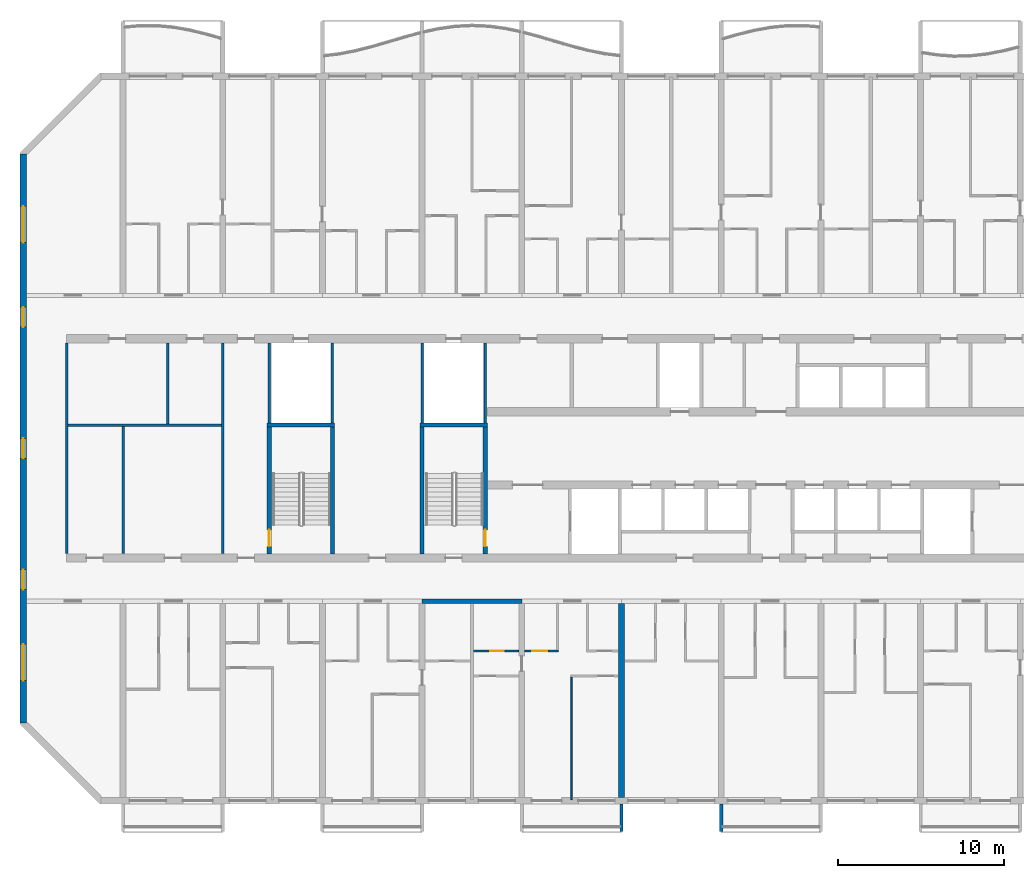
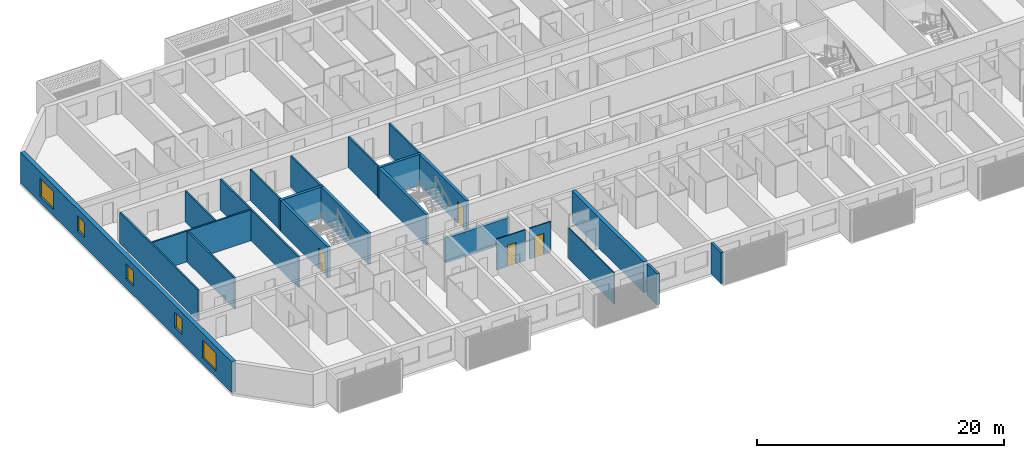
# One storey, part 3 of 29: 23 walls, 5 windows, 4 doors, 9 openings.
"""IFC4 building model written with IfcOpenShell, lengths in metres."""

from ifc_helpers import new_model, si_unit, direction, frame, frame_2d, origin, place, context, subcontext, project, spatial, polyline, rectangle, outline, extrude, source, transform, mapped, material, layer, layer_set, type_object, element, fill, save


model = new_model("IFC4")

# Units and contexts
model_context = context("Model", 3, precision=1e-05, world=origin(), true_north=direction((0.0, 1.0)))
body_context = subcontext(model_context, "Body", "Model", "MODEL_VIEW")
ifc_project = project(units=[si_unit("LENGTHUNIT", "METRE"), si_unit("AREAUNIT", "SQUARE_METRE"), si_unit("VOLUMEUNIT", "CUBIC_METRE"), si_unit("PLANEANGLEUNIT", "RADIAN"), si_unit("MASSUNIT", "GRAM", prefix="KILO")], contexts=[model_context])

# Site, building, storey
site_placement = place(None, origin())
site = spatial("IfcSite", under=ifc_project, at=site_placement, CompositionType="ELEMENT")
building_placement = place(site_placement, origin())
building = spatial("IfcBuilding", under=site, at=building_placement, Name="Poui Terraces", CompositionType="ELEMENT")
storey_placement = place(building_placement, frame((0.0, 0.0, 86.10009765625)))
storey = spatial("IfcBuildingStorey", under=building, at=storey_placement, Name="L23", CompositionType="ELEMENT", Elevation=86.10009765625)

# Walls
ifc_material_1 = material(Name="Fire-rated plasterboard wall")
ifc_layer_1 = layer(ifc_material_1, 0.14990234375)
ifc_layer_set_1 = layer_set([ifc_layer_1], Name="Fire-rated plasterboard wall")
wall_type_1 = type_object("IfcWallType", Name="CORRIDOR WALL 150", PredefinedType="PARTITIONING", material=ifc_layer_set_1)
for number, where, z_axis, x_axis, name in (
    (1, (8.60009765625, 14.860107421875, 0.0), (0.0, 0.0, 1.0), (0.0, 1.0, 0.0), "CORRIDOR WALL 150"),
    (2, (18.0, 14.860107421875, 0.0), (0.0, 0.0, 1.0), (0.0, 1.0, 0.0), "CORRIDOR WALL 150"),
):
    element("IfcWall", number, at=place(storey_placement, frame(where, z_axis=z_axis, x_axis=x_axis)), inside=storey, type_object=wall_type_1, Name=name, PredefinedType="PARTITIONING", context=body_context, shape_type="SweptSolid", body=[
        extrude(rectangle(XDim=12.679931640625, YDim=0.14990234375, at=frame_2d((6.33984375, 0.0))), origin(), (0.0, 0.0, 1.0), 3.059814453125),
    ])
ifc_material_2 = material(Name="Concrete 65 MPa", Category="concrete")
ifc_layer_2 = layer(ifc_material_2, 0.25)
ifc_layer_set_2 = layer_set([ifc_layer_2], Name="Concrete 65 MPa")
wall_type_2 = type_object("IfcWallType", Name="CORRIDOR WALL 250 65MPa", PredefinedType="SHEAR", material=ifc_layer_set_2)
wall_1_placement = place(storey_placement, frame((30.0, 12.0, 0.0), z_axis=(0.0, 0.0, 1.0), x_axis=(1.0, 0.0, 0.0)))
element("IfcWall", 3, at=wall_1_placement, inside=storey, type_object=wall_type_2, Name="CORRIDOR WALL LINE B BAY 5", PredefinedType="SHEAR", context=body_context, shape_type="SweptSolid", body=[
    extrude(rectangle(XDim=6.0, YDim=0.25, at=frame_2d((3.0, 0.0))), origin(), (0.0, 0.0, 1.0), 2.4599609375),
])
ifc_layer_3 = layer(ifc_material_2, 0.35009765625)
ifc_layer_set_3 = layer_set([ifc_layer_3], Name="Concrete 65 MPa")
wall_type_3 = type_object("IfcWallType", Name="CROSS WALL 350 65MPa", PredefinedType="SHEAR", material=ifc_layer_set_3)
wall_2_placement = place(storey_placement, frame((42.0, 0.199951171875, 0.0), z_axis=(0.0, 0.0, 1.0), x_axis=(0.0, 1.0, 0.0)))
element("IfcWall", 4, at=wall_2_placement, inside=storey, type_object=wall_type_3, Name="CROSS WALL LINE 8 SOUTH", PredefinedType="SHEAR", context=body_context, shape_type="SweptSolid", body=[
    extrude(rectangle(XDim=11.675048828125, YDim=0.35009765625, at=frame_2d((5.83740234375, 0.0))), origin(), (0.0, 0.0, 1.0), 3.059814453125),
])

# Wall, openings, windows
ifc_layer_4 = layer(ifc_material_2, 0.39990234375)
ifc_layer_set_4 = layer_set([ifc_layer_4], Name="Concrete 65 MPa")
wall_type_4 = type_object("IfcWallType", Name="END WALL 400 65MPa", PredefinedType="SHEAR", material=ifc_layer_set_4)
wall_3_placement = place(storey_placement, frame((6.0, 4.682861328125, 0.0), z_axis=(0.0, 0.0, 1.0), x_axis=(0.0, 1.0, 0.0)))
wall_3 = element("IfcWall", 5, at=wall_3_placement, inside=storey, type_object=wall_type_4, Name="END WALL WEST", PredefinedType="SHEAR", context=body_context, shape_type="SweptSolid", body=[
    extrude(rectangle(XDim=34.234375, YDim=0.39990234375, at=frame_2d((17.1171875, 0.0))), origin(), (0.0, 0.0, 1.0), 3.059814453125),
])
opening_1_placement = place(wall_3_placement, frame((23.817138671875, 0.0, 0.89990234375)))
opening_1 = element("IfcOpeningElement", 6, at=opening_1_placement, cuts=wall_3, Name="Opening W2", PredefinedType="OPENING", context=body_context, shape_type="SweptSolid", body=[
    extrude(rectangle(XDim=1.199951171875, YDim=1.5, at=frame_2d((0.60009765625, 0.75))), frame((0.0, 0.2099609375, 0.0), z_axis=(0.0, -1.0, 0.0), x_axis=(1.0, 0.0, 0.0)), (0.0, 0.0, 1.0), 0.419921875),
])
opening_2_placement = place(wall_3_placement, frame((8.01708984375, 0.0, 0.89990234375)))
opening_2 = element("IfcOpeningElement", 7, at=opening_2_placement, cuts=wall_3, Name="Opening W2", PredefinedType="OPENING", context=body_context, shape_type="SweptSolid", body=[
    extrude(rectangle(XDim=1.199951171875, YDim=1.5, at=frame_2d((0.60009765625, 0.75))), frame((0.0, 0.2099609375, 0.0), z_axis=(0.0, -1.0, 0.0), x_axis=(1.0, 0.0, 0.0)), (0.0, 0.0, 1.0), 0.419921875),
])
opening_3_placement = place(wall_3_placement, frame((15.917236328125, 0.0, 0.89990234375)))
opening_3 = element("IfcOpeningElement", 8, at=opening_3_placement, cuts=wall_3, Name="Opening W2", PredefinedType="OPENING", context=body_context, shape_type="SweptSolid", body=[
    extrude(rectangle(XDim=1.199951171875, YDim=1.5, at=frame_2d((0.60009765625, 0.75))), frame((0.0, 0.2099609375, 0.0), z_axis=(0.0, -1.0, 0.0), x_axis=(1.0, 0.0, 0.0)), (0.0, 0.0, 1.0), 0.419921875),
])
opening_4_placement = place(wall_3_placement, frame((28.8935546875, 0.0, 0.60009765625)))
opening_4 = element("IfcOpeningElement", 9, at=opening_4_placement, cuts=wall_3, Name="Opening W3", PredefinedType="OPENING", context=body_context, shape_type="SweptSolid", body=[
    extrude(rectangle(XDim=2.199951171875, YDim=1.800048828125, at=frame_2d((1.10009765625, 0.89990234375))), frame((0.0, 0.2099609375, 0.0), z_axis=(0.0, -1.0, 0.0), x_axis=(1.0, 0.0, 0.0)), (0.0, 0.0, 1.0), 0.419921875),
])
opening_5_placement = place(wall_3_placement, frame((2.541015625, 0.0, 0.60009765625)))
opening_5 = element("IfcOpeningElement", 10, at=opening_5_placement, cuts=wall_3, Name="Opening W3", PredefinedType="OPENING", context=body_context, shape_type="SweptSolid", body=[
    extrude(rectangle(XDim=2.199951171875, YDim=1.800048828125, at=frame_2d((1.10009765625, 0.89990234375))), frame((0.0, 0.2099609375, 0.0), z_axis=(0.0, -1.0, 0.0), x_axis=(1.0, 0.0, 0.0)), (0.0, 0.0, 1.0), 0.419921875),
])
ifc_material_3 = material(Name="Clear glass in aluminium frame", Category="aluminium")
window_type_1 = type_object("IfcWindowType", Name="WINDOW 1200X1500", PartitioningType="SINGLE_PANEL", PredefinedType="WINDOW", material=ifc_material_3)
window_1_placement = place(opening_1_placement, origin())
window_1 = element("IfcWindow", 11, at=window_1_placement, inside=storey, type_object=window_type_1, Name="W2 WINDOW", OverallHeight=1.5, OverallWidth=1.199951171875, PartitioningType="SINGLE_PANEL", PredefinedType="WINDOW", context=body_context, shape_type="SweptSolid", body=[
    extrude(rectangle(XDim=1.199951171875, YDim=1.5, at=frame_2d((0.60009765625, 0.75))), frame((0.0, 0.030029296875, 0.0), z_axis=(0.0, -1.0, 0.0), x_axis=(1.0, 0.0, 0.0)), (0.0, 0.0, 1.0), 0.06005859375),
])
fill(opening_1, window_1)
window_2_placement = place(opening_2_placement, origin())
window_2 = element("IfcWindow", 12, at=window_2_placement, inside=storey, type_object=window_type_1, Name="W2 WINDOW", OverallHeight=1.5, OverallWidth=1.199951171875, PartitioningType="SINGLE_PANEL", PredefinedType="WINDOW", context=body_context, shape_type="SweptSolid", body=[
    extrude(rectangle(XDim=1.199951171875, YDim=1.5, at=frame_2d((0.60009765625, 0.75))), frame((0.0, 0.030029296875, 0.0), z_axis=(0.0, -1.0, 0.0), x_axis=(1.0, 0.0, 0.0)), (0.0, 0.0, 1.0), 0.06005859375),
])
fill(opening_2, window_2)
window_3_placement = place(opening_3_placement, origin())
window_3 = element("IfcWindow", 13, at=window_3_placement, inside=storey, type_object=window_type_1, Name="W2 WINDOW", OverallHeight=1.5, OverallWidth=1.199951171875, PartitioningType="SINGLE_PANEL", PredefinedType="WINDOW", context=body_context, shape_type="SweptSolid", body=[
    extrude(rectangle(XDim=1.199951171875, YDim=1.5, at=frame_2d((0.60009765625, 0.75))), frame((0.0, 0.030029296875, 0.0), z_axis=(0.0, -1.0, 0.0), x_axis=(1.0, 0.0, 0.0)), (0.0, 0.0, 1.0), 0.06005859375),
])
fill(opening_3, window_3)
window_type_2 = type_object("IfcWindowType", Name="WINDOW 2200X1800", PartitioningType="DOUBLE_PANEL_HORIZONTAL", PredefinedType="WINDOW", material=ifc_material_3)
window_4_placement = place(opening_4_placement, origin())
window_4 = element("IfcWindow", 14, at=window_4_placement, inside=storey, type_object=window_type_2, Name="W3 WINDOW", OverallHeight=1.800048828125, OverallWidth=2.199951171875, PartitioningType="DOUBLE_PANEL_HORIZONTAL", PredefinedType="WINDOW", context=body_context, shape_type="SweptSolid", body=[
    extrude(rectangle(XDim=2.199951171875, YDim=1.800048828125, at=frame_2d((1.10009765625, 0.89990234375))), frame((0.0, 0.030029296875, 0.0), z_axis=(0.0, -1.0, 0.0), x_axis=(1.0, 0.0, 0.0)), (0.0, 0.0, 1.0), 0.06005859375),
])
fill(opening_4, window_4)
window_5_placement = place(opening_5_placement, origin())
window_5 = element("IfcWindow", 15, at=window_5_placement, inside=storey, type_object=window_type_2, Name="W3 WINDOW", OverallHeight=1.800048828125, OverallWidth=2.199951171875, PartitioningType="DOUBLE_PANEL_HORIZONTAL", PredefinedType="WINDOW", context=body_context, shape_type="SweptSolid", body=[
    extrude(rectangle(XDim=2.199951171875, YDim=1.800048828125, at=frame_2d((1.10009765625, 0.89990234375))), frame((0.0, 0.030029296875, 0.0), z_axis=(0.0, -1.0, 0.0), x_axis=(1.0, 0.0, 0.0)), (0.0, 0.0, 1.0), 0.06005859375),
])
fill(opening_5, window_5)

# Wall, opening, door
ifc_material_4 = material(Name="Plasterboard partition")
ifc_layer_5 = layer(ifc_material_4, 0.10009765625)
ifc_layer_set_5 = layer_set([ifc_layer_5], Name="Plasterboard partition")
wall_type_5 = type_object("IfcWallType", Name="FLAT PARTITION 100", PredefinedType="PARTITIONING", material=ifc_layer_set_5)
wall_4_placement = place(storey_placement, frame((33.10009765625, 9.0, 0.0), z_axis=(0.0, 0.0, 1.0), x_axis=(1.0, 0.0, 0.0)))
wall_4 = element("IfcWall", 16, at=wall_4_placement, inside=storey, type_object=wall_type_5, Name="FLAT PARTITION 100", PredefinedType="PARTITIONING", context=body_context, shape_type="SweptSolid", body=[
    extrude(rectangle(XDim=2.71484375, YDim=0.10009765625, at=frame_2d((1.357421875, 0.0))), origin(), (0.0, 0.0, 1.0), 3.059814453125),
])
opening_6_placement = place(wall_4_placement, frame((1.0, 0.0, 0.0)))
opening_6 = element("IfcOpeningElement", 17, at=opening_6_placement, cuts=wall_4, Name="Opening D80", PredefinedType="OPENING", context=body_context, shape_type="SweptSolid", body=[
    extrude(rectangle(XDim=0.800048828125, YDim=2.10009765625, at=frame_2d((0.39990234375, 1.050048828125))), frame((0.0, 0.06005859375, 0.0), z_axis=(0.0, -1.0, 0.0), x_axis=(1.0, 0.0, 0.0)), (0.0, 0.0, 1.0), 0.1201171875),
])
ifc_material_5 = material(Name="Solid core timber door", Category="wood")
door_type_1 = type_object("IfcDoorType", Name="BATHROOM, LAUNDRY AND STORE DOOR 800 X 2100", OperationType="NOTDEFINED", PredefinedType="DOOR", material=ifc_material_5)
door_1_placement = place(opening_6_placement, origin())
door_1 = element("IfcDoor", 18, at=door_1_placement, inside=storey, type_object=door_type_1, Name="BATHROOM, LAUNDRY AND STORE DOOR 100", OperationType="SINGLE_SWING_RIGHT", OverallHeight=2.10009765625, OverallWidth=0.800048828125, PredefinedType="DOOR", context=body_context, shape_type="SweptSolid", body=[
    extrude(rectangle(XDim=0.800048828125, YDim=2.10009765625, at=frame_2d((0.39990234375, 1.050048828125))), frame((0.0, 0.02490234375, 0.0), z_axis=(0.0, -1.0, 0.0), x_axis=(1.0, 0.0, 0.0)), (0.0, 0.0, 1.0), 0.050048828125),
])
fill(opening_6, door_1)

wall_5_placement = place(storey_placement, frame((36.18505859375, 9.0, 0.0), z_axis=(0.0, 0.0, 1.0), x_axis=(1.0, 0.0, 0.0)))
wall_5 = element("IfcWall", 19, at=wall_5_placement, inside=storey, type_object=wall_type_5, Name="FLAT PARTITION 100", PredefinedType="PARTITIONING", context=body_context, shape_type="SweptSolid", body=[
    extrude(rectangle(XDim=2.014892578125, YDim=0.10009765625, at=frame_2d((1.00732421875, 0.0))), origin(), (0.0, 0.0, 1.0), 3.059814453125),
])
opening_7_placement = place(wall_5_placement, frame((0.43994140625, 0.0, 0.0)))
opening_7 = element("IfcOpeningElement", 20, at=opening_7_placement, cuts=wall_5, Name="Opening D90", PredefinedType="OPENING", context=body_context, shape_type="SweptSolid", body=[
    extrude(rectangle(XDim=0.89990234375, YDim=2.10009765625, at=frame_2d((0.449951171875, 1.050048828125))), frame((0.0, 0.06005859375, 0.0), z_axis=(0.0, -1.0, 0.0), x_axis=(1.0, 0.0, 0.0)), (0.0, 0.0, 1.0), 0.1201171875),
])
door_type_2 = type_object("IfcDoorType", Name="INTERNAL DOOR 900 X 2100", OperationType="NOTDEFINED", PredefinedType="DOOR", material=ifc_material_5)
door_2_placement = place(opening_7_placement, origin())
door_2 = element("IfcDoor", 21, at=door_2_placement, inside=storey, type_object=door_type_2, Name="INTERNAL DOOR 102", OperationType="SINGLE_SWING_LEFT", OverallHeight=2.10009765625, OverallWidth=0.89990234375, PredefinedType="DOOR", context=body_context, shape_type="SweptSolid", body=[
    extrude(rectangle(XDim=0.89990234375, YDim=2.10009765625, at=frame_2d((0.449951171875, 1.050048828125))), frame((0.0, 0.02490234375, 0.0), z_axis=(0.0, -1.0, 0.0), x_axis=(1.0, 0.0, 0.0)), (0.0, 0.0, 1.0), 0.050048828125),
])
fill(opening_7, door_2)

# Walls
wall_6_placement = place(storey_placement, frame((39.0, 0.06005859375, 0.0), z_axis=(0.0, 0.0, 1.0), x_axis=(0.0, 1.0, 0.0)))
element("IfcWall", 22, at=wall_6_placement, inside=storey, type_object=wall_type_5, Name="FLAT PARTITION 100", PredefinedType="PARTITIONING", context=body_context, shape_type="SweptSolid", body=[
    extrude(rectangle(XDim=7.389892578125, YDim=0.10009765625, at=frame_2d((3.69482421875, 0.0))), origin(), (0.0, 0.0, 1.0), 3.059814453125),
])
ifc_layer_6 = layer(ifc_material_4, 0.14990234375)
ifc_layer_set_6 = layer_set([ifc_layer_6], Name="Plasterboard partition")
wall_type_6 = type_object("IfcWallType", Name="PARTITION WALL 150", PredefinedType="PARTITIONING", material=ifc_layer_set_6)
wall_7_placement = place(storey_placement, frame((8.675048828125, 22.60009765625, 0.0), z_axis=(0.0, 0.0, 1.0), x_axis=(1.0, 0.0, 0.0)))
element("IfcWall", 23, at=wall_7_placement, inside=storey, type_object=wall_type_6, Name="PARTITION WALL 150", PredefinedType="PARTITIONING", context=body_context, shape_type="SweptSolid", body=[
    extrude(rectangle(XDim=9.25, YDim=0.14990234375, at=frame_2d((4.625, 0.0))), origin(), (0.0, 0.0, 1.0), 3.059814453125),
])
wall_8_placement = place(storey_placement, frame((12.0, 14.860107421875, 0.0), z_axis=(0.0, 0.0, 1.0), x_axis=(0.0, 1.0, 0.0)))
element("IfcWall", 24, at=wall_8_placement, inside=storey, type_object=wall_type_6, Name="PARTITION WALL 150", PredefinedType="PARTITIONING", context=body_context, shape_type="SweptSolid", body=[
    extrude(rectangle(XDim=7.664794921875, YDim=0.14990234375, at=frame_2d((3.83251953125, 0.0))), origin(), (0.0, 0.0, 1.0), 3.059814453125),
])
wall_9_placement = place(storey_placement, frame((14.699951171875, 22.675048828125, 0.0), z_axis=(0.0, 0.0, 1.0), x_axis=(0.0, 1.0, 0.0)))
element("IfcWall", 25, at=wall_9_placement, inside=storey, type_object=wall_type_6, Name="PARTITION WALL 150", PredefinedType="PARTITIONING", context=body_context, shape_type="SweptSolid", body=[
    extrude(rectangle(XDim=4.864990234375, YDim=0.14990234375, at=frame_2d((2.4326171875, 0.0))), origin(), (0.0, 0.0, 1.0), 3.059814453125),
])
ifc_material_6 = material(Name="Fire-rated plasterboard riser wall")
ifc_layer_7 = layer(ifc_material_6, 0.14990234375)
ifc_layer_set_7 = layer_set([ifc_layer_7], Name="Fire-rated plasterboard riser wall")
wall_type_7 = type_object("IfcWallType", Name="RISER WALL 150", PredefinedType="PARTITIONING", material=ifc_layer_set_7)
for number, where, z_axis, x_axis, name in (
    (26, (20.800048828125, 22.735107421875, 0.0), (0.0, 0.0, 1.0), (0.0, 1.0, 0.0), "RISER WALL 150"),
    (27, (24.60009765625, 22.735107421875, 0.0), (0.0, 0.0, 1.0), (0.0, 1.0, 0.0), "RISER WALL 150"),
    (28, (30.0, 22.735107421875, 0.0), (0.0, 0.0, 1.0), (0.0, 1.0, 0.0), "RISER WALL 150"),
    (29, (33.800048828125, 22.735107421875, 0.0), (0.0, 0.0, 1.0), (0.0, 1.0, 0.0), "RISER WALL 150"),
):
    element("IfcWall", number, at=place(storey_placement, frame(where, z_axis=z_axis, x_axis=x_axis)), inside=storey, type_object=wall_type_7, Name=name, PredefinedType="PARTITIONING", context=body_context, shape_type="SweptSolid", body=[
        extrude(rectangle(XDim=4.804931640625, YDim=0.14990234375, at=frame_2d((2.40234375, 0.0))), origin(), (0.0, 0.0, 1.0), 3.059814453125),
    ])
ifc_layer_8 = layer(ifc_material_2, 0.25)
ifc_layer_set_8 = layer_set([ifc_layer_8], Name="Concrete 65 MPa")
wall_type_8 = type_object("IfcWallType", Name="STAIR CORE WALL 250 65 MPA", PredefinedType="SOLIDWALL", material=ifc_layer_set_8)
wall_10_placement = place(storey_placement, frame((30.0, 14.85009765625, 0.0), z_axis=(0.0, 0.0, 1.0), x_axis=(0.0, 1.0, 0.0)))
element("IfcWall", 30, at=wall_10_placement, inside=storey, type_object=wall_type_8, Name="STAIR CORE WALL", PredefinedType="SOLIDWALL", context=body_context, shape_type="SweptSolid", body=[
    extrude(rectangle(XDim=7.625, YDim=0.25, at=frame_2d((3.8125, 0.0))), origin(), (0.0, 0.0, 1.0), 3.059814453125),
])

# Wall, opening, door
wall_11_placement = place(storey_placement, frame((33.800048828125, 14.85009765625, 0.0), z_axis=(0.0, 0.0, 1.0), x_axis=(0.0, 1.0, 0.0)))
wall_11 = element("IfcWall", 31, at=wall_11_placement, inside=storey, type_object=wall_type_8, Name="STAIR CORE WALL", PredefinedType="SOLIDWALL", context=body_context, shape_type="SweptSolid", body=[
    extrude(rectangle(XDim=7.625, YDim=0.25, at=frame_2d((3.8125, 0.0))), origin(), (0.0, 0.0, 1.0), 3.059814453125),
])
opening_8_placement = place(wall_11_placement, frame((0.449951171875, 0.0, 0.0)))
opening_8 = element("IfcOpeningElement", 32, at=opening_8_placement, cuts=wall_11, Name="Opening FD60S", PredefinedType="OPENING", context=body_context, shape_type="SweptSolid", body=[
    extrude(rectangle(XDim=1.0, YDim=2.10009765625, at=frame_2d((0.5, 1.050048828125))), frame((0.0, 0.135009765625, 0.0), z_axis=(0.0, -1.0, 0.0), x_axis=(1.0, 0.0, 0.0)), (0.0, 0.0, 1.0), 0.27001953125),
])
ifc_material_7 = material(Name="Steel fire door", Category="steel")
door_type_3 = type_object("IfcDoorType", Name="STAIR DOOR 1000 X 2100", OperationType="NOTDEFINED", PredefinedType="DOOR", material=ifc_material_7)
door_3_placement = place(opening_8_placement, origin())
door_3 = element("IfcDoor", 33, at=door_3_placement, inside=storey, type_object=door_type_3, Name="STAIR DOOR 138", OperationType="SINGLE_SWING_LEFT", OverallHeight=2.10009765625, OverallWidth=1.0, PredefinedType="DOOR", context=body_context, shape_type="SweptSolid", body=[
    extrude(rectangle(XDim=1.0, YDim=2.10009765625, at=frame_2d((0.5, 1.050048828125))), frame((0.0, 0.02490234375, 0.0), z_axis=(0.0, -1.0, 0.0), x_axis=(1.0, 0.0, 0.0)), (0.0, 0.0, 1.0), 0.050048828125),
])
fill(opening_8, door_3)

# Wall
wall_12_placement = place(storey_placement, frame((29.875, 22.60009765625, 0.0), z_axis=(0.0, 0.0, 1.0), x_axis=(1.0, 0.0, 0.0)))
element("IfcWall", 34, at=wall_12_placement, inside=storey, type_object=wall_type_8, Name="STAIR CORE WALL", PredefinedType="SOLIDWALL", context=body_context, shape_type="SweptSolid", body=[
    extrude(rectangle(XDim=4.050048828125, YDim=0.25, at=frame_2d((2.02490234375, 0.0))), origin(), (0.0, 0.0, 1.0), 3.059814453125),
])

# Wall, opening, door
wall_13_placement = place(storey_placement, frame((20.800048828125, 14.85009765625, 0.0), z_axis=(0.0, 0.0, 1.0), x_axis=(0.0, 1.0, 0.0)))
wall_13 = element("IfcWall", 35, at=wall_13_placement, inside=storey, type_object=wall_type_8, Name="STAIR CORE WALL", PredefinedType="SOLIDWALL", context=body_context, shape_type="SweptSolid", body=[
    extrude(rectangle(XDim=7.625, YDim=0.25, at=frame_2d((3.8125, 0.0))), origin(), (0.0, 0.0, 1.0), 3.059814453125),
])
opening_9_placement = place(wall_13_placement, frame((0.449951171875, 0.0, 0.0)))
opening_9 = element("IfcOpeningElement", 36, at=opening_9_placement, cuts=wall_13, Name="Opening FD60S", PredefinedType="OPENING", context=body_context, shape_type="SweptSolid", body=[
    extrude(rectangle(XDim=1.0, YDim=2.10009765625, at=frame_2d((0.5, 1.050048828125))), frame((0.0, 0.135009765625, 0.0), z_axis=(0.0, -1.0, 0.0), x_axis=(1.0, 0.0, 0.0)), (0.0, 0.0, 1.0), 0.27001953125),
])
door_4_placement = place(opening_9_placement, frame((1.0, 0.0, 0.0), z_axis=(0.0, 0.0, 1.0), x_axis=(-1.0, 0.0, 0.0)))
door_4 = element("IfcDoor", 37, at=door_4_placement, inside=storey, type_object=door_type_3, Name="STAIR DOOR 152", OperationType="SINGLE_SWING_RIGHT", OverallHeight=2.10009765625, OverallWidth=1.0, PredefinedType="DOOR", context=body_context, shape_type="SweptSolid", body=[
    extrude(rectangle(XDim=1.0, YDim=2.10009765625, at=frame_2d((0.5, 1.050048828125))), frame((0.0, 0.02490234375, 0.0), z_axis=(0.0, -1.0, 0.0), x_axis=(1.0, 0.0, 0.0)), (0.0, 0.0, 1.0), 0.050048828125),
])
fill(opening_9, door_4)

# Walls
wall_14_placement = place(storey_placement, frame((24.60009765625, 14.85009765625, 0.0), z_axis=(0.0, 0.0, 1.0), x_axis=(0.0, 1.0, 0.0)))
element("IfcWall", 38, at=wall_14_placement, inside=storey, type_object=wall_type_8, Name="STAIR CORE WALL", PredefinedType="SOLIDWALL", context=body_context, shape_type="SweptSolid", body=[
    extrude(rectangle(XDim=7.625, YDim=0.25, at=frame_2d((3.8125, 0.0))), origin(), (0.0, 0.0, 1.0), 3.059814453125),
])
wall_15_placement = place(storey_placement, frame((20.675048828125, 22.60009765625, 0.0), z_axis=(0.0, 0.0, 1.0), x_axis=(1.0, 0.0, 0.0)))
element("IfcWall", 39, at=wall_15_placement, inside=storey, type_object=wall_type_8, Name="STAIR CORE WALL", PredefinedType="SOLIDWALL", context=body_context, shape_type="SweptSolid", body=[
    extrude(rectangle(XDim=4.050048828125, YDim=0.25, at=frame_2d((2.02490234375, 0.0))), origin(), (0.0, 0.0, 1.0), 3.059814453125),
])
ifc_material_8 = material(Name="Precast concrete 40 MPa", Category="concrete")
ifc_layer_9 = layer(ifc_material_8, 0.199951171875)
ifc_layer_set_9 = layer_set([ifc_layer_9], Name="Precast concrete 40 MPa")
wall_type_9 = type_object("IfcWallType", Name="REAR FIN 200", PredefinedType="STANDARD", material=ifc_layer_set_9)
shared_shape = source(origin(), body_context, "Body", "SweptSolid", [
    extrude(outline(polyline([(0.0, 0.0), (0.2001953125, 0.0), (0.2001953125, 1.650146484375), (0.0, 1.650146484375), (0.0, 0.0)])), origin(), (0.0, 0.0, 1.0), 3.099853515625),
])
for number, where, name in (
    (40, (41.89990234375, -1.85009765625, 0.0), "REAR FIN"),
    (41, (47.89990234375, -1.85009765625, 0.0), "REAR FIN"),
):
    element("IfcWall", number, at=place(storey_placement, frame(where)), inside=storey, type_object=wall_type_9, Name=name, PredefinedType="STANDARD", context=body_context, shape_type="MappedRepresentation", body=[
        mapped(shared_shape, transform((0.0, 0.0, 0.0))),
    ])

save(model, "model.ifc")
